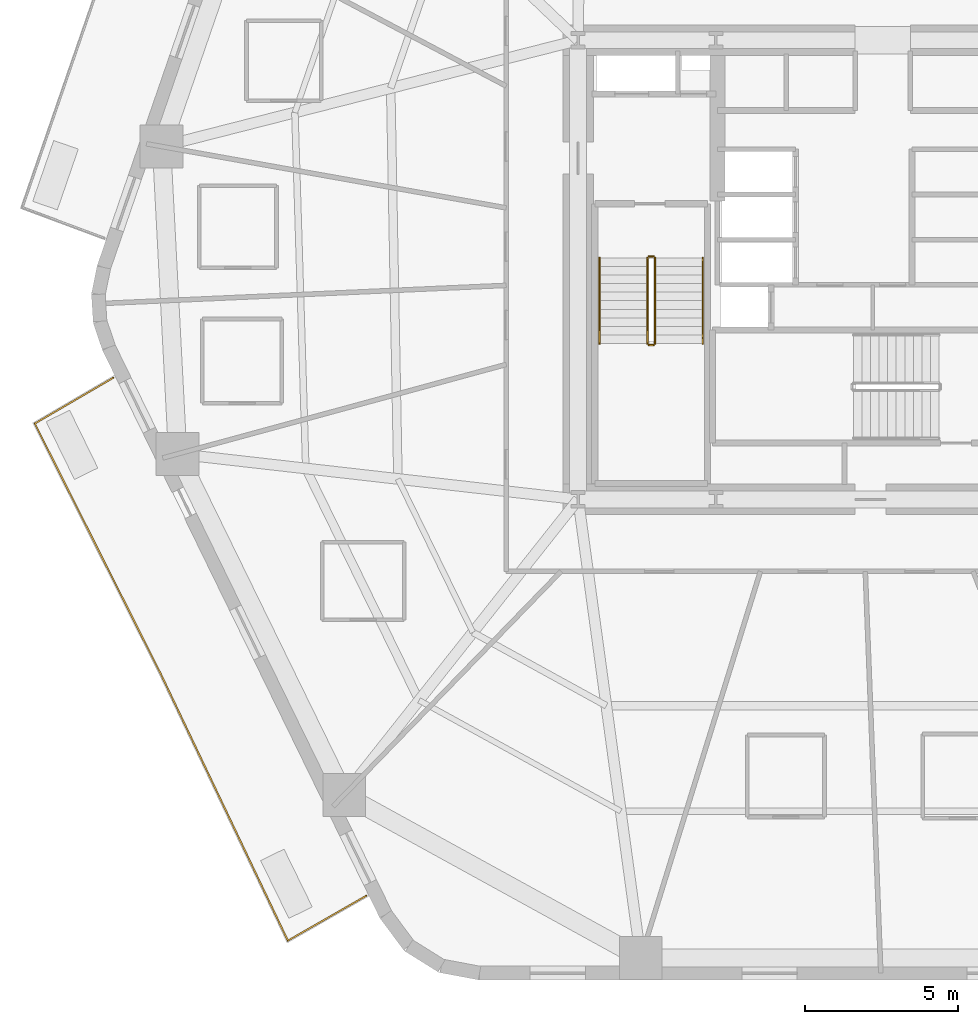
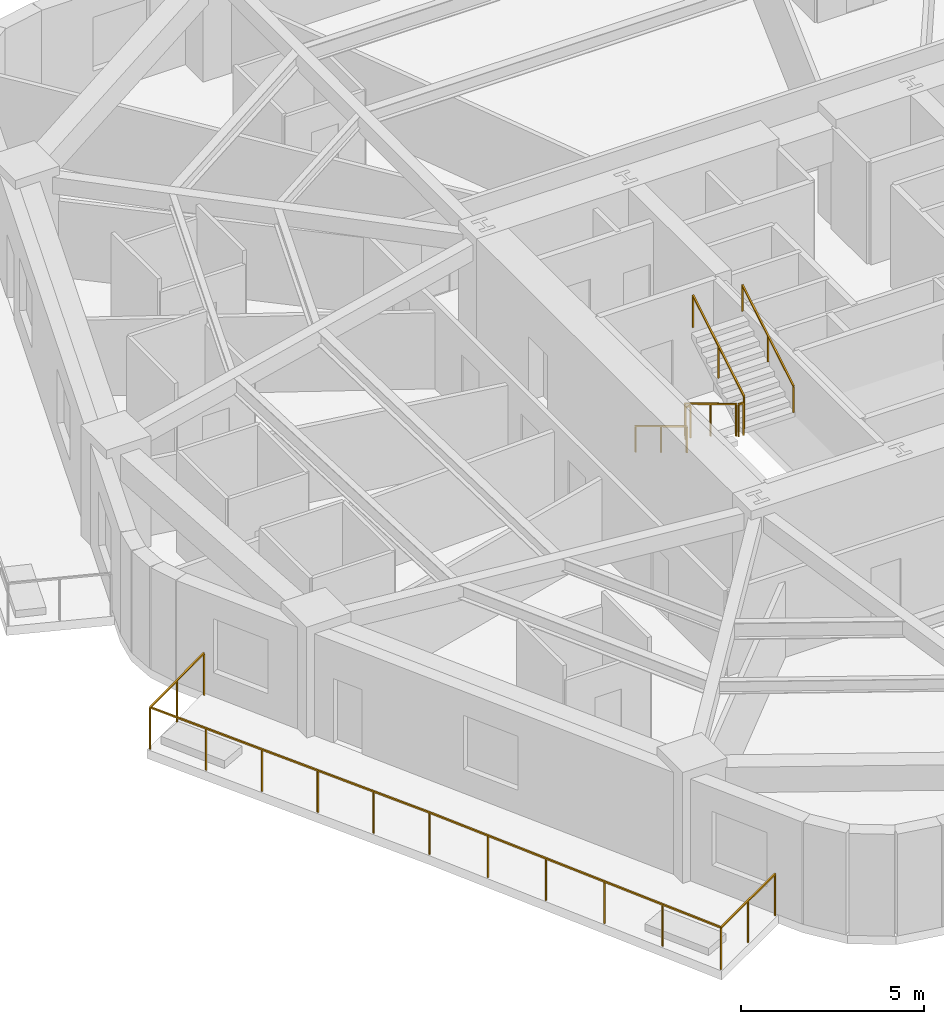
# One storey, part 8 of 10: 7 railings.
"""IFC4 building model written with IfcOpenShell, lengths in metres."""

from ifc_helpers import new_model, si_unit, direction, frame, origin, origin_2d, place, context, subcontext, project, spatial, rectangle, extrude, material, layer, layer_set, type_object, element, save


model = new_model("IFC4")

# Units and contexts
model_context = context("Model", 3, precision=1e-05, world=origin(), true_north=direction((0.0, 1.0)))
body_context = subcontext(model_context, "Body", "Model", "MODEL_VIEW")
ifc_project = project(units=[si_unit("LENGTHUNIT", "METRE"), si_unit("AREAUNIT", "SQUARE_METRE"), si_unit("VOLUMEUNIT", "CUBIC_METRE"), si_unit("PLANEANGLEUNIT", "RADIAN"), si_unit("MASSUNIT", "GRAM", prefix="KILO")], contexts=[model_context])

# Site, building, storey
site_placement = place(None, origin())
site = spatial("IfcSite", under=ifc_project, at=site_placement, CompositionType="ELEMENT")
building_placement = place(site_placement, origin())
building = spatial("IfcBuilding", under=site, at=building_placement, Name="Kilnhurst Terrace Hotel", CompositionType="ELEMENT")
storey_placement = place(building_placement, frame((0.0, 0.0, 52.699951171875)))
storey = spatial("IfcBuildingStorey", under=building, at=storey_placement, Name="L11", CompositionType="ELEMENT", Elevation=52.699951171875)

# Railings
ifc_material_1 = material(Name="Laminated SentryGlas and Stainless Steel AISI 316L Balustrade", Category="steel")
ifc_layer_1 = layer(ifc_material_1, 0.070068359375, Name="Laminated SentryGlas and Stainless Steel AISI 316L Balustrade")
ifc_layer_set_1 = layer_set([ifc_layer_1], Name="Laminated SentryGlas and Stainless Steel AISI 316L Balustrade")
railing_type_1 = type_object("IfcRailingType", Name="RLG-BAL-1420", PredefinedType="BALUSTRADE", material=ifc_layer_set_1)
railing_1_placement = place(storey_placement, frame((-15.923095703125, -20.44873046875, 0.0)))
element("IfcRailing", 1, at=railing_1_placement, inside=storey, type_object=railing_type_1, Name="L11 Exterior Terrace Guardrail BAL-L2B.1", PredefinedType="BALUSTRADE", context=body_context, shape_type="SweptSolid", body=[
    extrude(rectangle(XDim=0.048095703125, YDim=0.048095703125, at=origin_2d()), frame((0.0, 0.0, 1.39599609375), z_axis=(-0.86763656582, -0.497198943736, 0.0), x_axis=(0.497198943736, -0.86763656582, 0.0)), (0.0, 0.0, 1.0), 2.95068359375),
    extrude(rectangle(XDim=0.048095703125, YDim=0.048095703125, at=origin_2d()), frame((-2.56005859375, -1.467041015625, 1.39599609375), z_axis=(-0.430147205624, 0.902758761516, 0.0), x_axis=(-0.902758761516, -0.430147205624, 0.0)), (0.0, 0.0, 1.0), 9.67041015625),
    extrude(rectangle(XDim=0.048095703125, YDim=0.048095703125, at=origin_2d()), frame((-6.7197265625, 7.262939453125, 1.39599609375), z_axis=(-0.514495755428, 0.857492925713, 0.0), x_axis=(-0.857492925713, -0.514495755428, 0.0)), (0.0, 0.0, 1.0), 0.00146484375),
    extrude(rectangle(XDim=0.048095703125, YDim=0.048095703125, at=origin_2d()), frame((-6.720458984375, 7.26416015625, 1.39599609375), z_axis=(-0.449648824937, 0.89320542667, 0.0), x_axis=(-0.89320542667, -0.449648824937, 0.0)), (0.0, 0.0, 1.0), 9.136962890625),
    extrude(rectangle(XDim=0.048095703125, YDim=0.048095703125, at=origin_2d()), frame((-10.828857421875, 15.42529296875, 1.39599609375), z_axis=(0.863737120301, 0.503942642584, 0.0), x_axis=(-0.503942642584, 0.863737120301, 0.0)), (0.0, 0.0, 1.0), 2.96728515625),
    extrude(rectangle(XDim=0.0419921875, YDim=0.0419921875, at=origin_2d()), origin(), (0.0, 0.0, 1.0), 1.371826171875),
    extrude(rectangle(XDim=0.0419921875, YDim=0.0419921875, at=origin_2d()), frame((-1.280029296875, -0.7333984375, 0.0)), (0.0, 0.0, 1.0), 1.371826171875),
    extrude(rectangle(XDim=0.0419921875, YDim=0.0419921875, at=origin_2d()), frame((-2.56005859375, -1.467041015625, 0.0)), (0.0, 0.0, 1.0), 1.371826171875),
    extrude(rectangle(XDim=0.0419921875, YDim=0.0419921875, at=origin_2d()), frame((-3.39208984375, 0.279052734375, 0.0)), (0.0, 0.0, 1.0), 1.371826171875),
    extrude(rectangle(XDim=0.0419921875, YDim=0.0419921875, at=origin_2d()), frame((-4.223876953125, 2.02490234375, 0.0)), (0.0, 0.0, 1.0), 1.371826171875),
    extrude(rectangle(XDim=0.0419921875, YDim=0.0419921875, at=origin_2d()), frame((-5.055908203125, 3.77099609375, 0.0)), (0.0, 0.0, 1.0), 1.371826171875),
    extrude(rectangle(XDim=0.0419921875, YDim=0.0419921875, at=origin_2d()), frame((-5.8876953125, 5.516845703125, 0.0)), (0.0, 0.0, 1.0), 1.371826171875),
    extrude(rectangle(XDim=0.0419921875, YDim=0.0419921875, at=origin_2d()), frame((-6.7197265625, 7.262939453125, 0.0)), (0.0, 0.0, 1.0), 1.371826171875),
    extrude(rectangle(XDim=0.0419921875, YDim=0.0419921875, at=origin_2d()), frame((-6.720458984375, 7.26416015625, 0.0)), (0.0, 0.0, 1.0), 1.371826171875),
    extrude(rectangle(XDim=0.0419921875, YDim=0.0419921875, at=origin_2d()), frame((-7.542236328125, 8.896484375, 0.0)), (0.0, 0.0, 1.0), 1.371826171875),
    extrude(rectangle(XDim=0.0419921875, YDim=0.0419921875, at=origin_2d()), frame((-8.36376953125, 10.528564453125, 0.0)), (0.0, 0.0, 1.0), 1.371826171875),
    extrude(rectangle(XDim=0.0419921875, YDim=0.0419921875, at=origin_2d()), frame((-9.185546875, 12.160888671875, 0.0)), (0.0, 0.0, 1.0), 1.371826171875),
    extrude(rectangle(XDim=0.0419921875, YDim=0.0419921875, at=origin_2d()), frame((-10.007080078125, 13.79296875, 0.0)), (0.0, 0.0, 1.0), 1.371826171875),
    extrude(rectangle(XDim=0.0419921875, YDim=0.0419921875, at=origin_2d()), frame((-10.828857421875, 15.42529296875, 0.0)), (0.0, 0.0, 1.0), 1.371826171875),
    extrude(rectangle(XDim=0.0419921875, YDim=0.0419921875, at=origin_2d()), frame((-9.54736328125, 16.1728515625, 0.0)), (0.0, 0.0, 1.0), 1.371826171875),
    extrude(rectangle(XDim=0.0419921875, YDim=0.0419921875, at=origin_2d()), frame((-8.265869140625, 16.920654296875, 0.0)), (0.0, 0.0, 1.0), 1.371826171875),
])
ifc_material_2 = material(Name="Powder-Coated Steel ASTM A500 Grade B", Category="steel")
ifc_layer_2 = layer(ifc_material_2, 0.050048828125, Name="Powder-Coated Steel ASTM A500 Grade B")
ifc_layer_set_2 = layer_set([ifc_layer_2], Name="Powder-Coated Steel ASTM A500 Grade B")
railing_type_2 = type_object("IfcRailingType", Name="RLG-ST-GRD-1100", PredefinedType="GUARDRAIL", material=ifc_layer_set_2)
railing_2_placement = place(storey_placement, frame((-6.739990234375, 0.389892578125, 0.168212890625)))
element("IfcRailing", 2, at=railing_2_placement, inside=storey, type_object=railing_type_2, Name="L11 ST-1 stair guard 1", PredefinedType="GUARDRAIL", context=body_context, shape_type="SweptSolid", body=[
    extrude(rectangle(XDim=0.048095703125, YDim=0.048095703125, at=origin_2d()), frame((0.0, 0.0, 1.076171875), z_axis=(0.0, -0.857222391501, 0.514946377315), x_axis=(1.0, 0.0, 0.0)), (0.0, 0.0, 1.0), 3.26611328125),
    extrude(rectangle(XDim=0.0419921875, YDim=0.0419921875, at=origin_2d()), origin(), (0.0, 0.0, 1.0), 1.052001953125),
    extrude(rectangle(XDim=0.0419921875, YDim=0.0419921875, at=origin_2d()), frame((0.0, -1.39990234375, 0.8408203125)), (0.0, 0.0, 1.0), 1.052001953125),
    extrude(rectangle(XDim=0.0419921875, YDim=0.0419921875, at=origin_2d()), frame((0.0, -2.7998046875, 1.681884765625)), (0.0, 0.0, 1.0), 1.052001953125),
])
railing_3_placement = place(storey_placement, frame((-6.68994140625, -2.4599609375, 1.85009765625)))
element("IfcRailing", 3, at=railing_3_placement, inside=storey, type_object=railing_type_2, Name="L11 ST-1 stair guard 2", PredefinedType="GUARDRAIL", context=body_context, shape_type="SweptSolid", body=[
    extrude(rectangle(XDim=0.048095703125, YDim=0.048095703125, at=origin_2d()), frame((0.0, 0.0, 1.076171875), z_axis=(1.0, 0.0, 0.0), x_axis=(0.0, 1.0, 0.0)), (0.0, 0.0, 1.0), 0.14990234375),
    extrude(rectangle(XDim=0.0419921875, YDim=0.0419921875, at=origin_2d()), origin(), (0.0, 0.0, 1.0), 1.052001953125),
    extrude(rectangle(XDim=0.0419921875, YDim=0.0419921875, at=origin_2d()), frame((0.14990234375, 0.0, 0.0)), (0.0, 0.0, 1.0), 1.052001953125),
])
railing_4_placement = place(storey_placement, frame((-6.489990234375, -2.409912109375, 2.018310546875)))
element("IfcRailing", 4, at=railing_4_placement, inside=storey, type_object=railing_type_2, Name="L11 ST-1 stair guard 3", PredefinedType="GUARDRAIL", context=body_context, shape_type="SweptSolid", body=[
    extrude(rectangle(XDim=0.048095703125, YDim=0.048095703125, at=origin_2d()), frame((0.0, 0.0, 1.076171875), z_axis=(0.0, 0.857255387014, 0.514891446264), x_axis=(-1.0, 0.0, 0.0)), (0.0, 0.0, 1.0), 3.26611328125),
    extrude(rectangle(XDim=0.0419921875, YDim=0.0419921875, at=origin_2d()), origin(), (0.0, 0.0, 1.0), 1.052001953125),
    extrude(rectangle(XDim=0.0419921875, YDim=0.0419921875, at=origin_2d()), frame((0.0, 1.39990234375, 0.8408203125)), (0.0, 0.0, 1.0), 1.052001953125),
    extrude(rectangle(XDim=0.0419921875, YDim=0.0419921875, at=origin_2d()), frame((0.0, 2.7998046875, 1.681640625)), (0.0, 0.0, 1.0), 1.052001953125),
])
railing_5_placement = place(storey_placement, frame((-6.68994140625, 0.43994140625, 0.0)))
element("IfcRailing", 5, at=railing_5_placement, inside=storey, type_object=railing_type_2, Name="L11 ST-1 stair guard 4", PredefinedType="GUARDRAIL", context=body_context, shape_type="SweptSolid", body=[
    extrude(rectangle(XDim=0.048095703125, YDim=0.048095703125, at=origin_2d()), frame((0.0, 0.0, 1.076171875), z_axis=(1.0, 0.0, 0.0), x_axis=(0.0, 1.0, 0.0)), (0.0, 0.0, 1.0), 0.14990234375),
    extrude(rectangle(XDim=0.0419921875, YDim=0.0419921875, at=origin_2d()), origin(), (0.0, 0.0, 1.0), 1.052001953125),
    extrude(rectangle(XDim=0.0419921875, YDim=0.0419921875, at=origin_2d()), frame((0.14990234375, 0.0, 0.0)), (0.0, 0.0, 1.0), 1.052001953125),
])
ifc_material_3 = material(Name="Brushed Stainless Steel AISI 304", Category="steel")
ifc_layer_3 = layer(ifc_material_3, 0.048095703125, Name="Brushed Stainless Steel AISI 304")
ifc_layer_set_3 = layer_set([ifc_layer_3], Name="Brushed Stainless Steel AISI 304")
railing_type_3 = type_object("IfcRailingType", Name="RLG-ST-HRL-900", PredefinedType="HANDRAIL", material=ifc_layer_set_3)
railing_6_placement = place(storey_placement, frame((-8.300048828125, 0.389892578125, 0.168212890625)))
element("IfcRailing", 6, at=railing_6_placement, inside=storey, type_object=railing_type_3, Name="L11 ST-1 stair handrail 1", PredefinedType="HANDRAIL", context=body_context, shape_type="SweptSolid", body=[
    extrude(rectangle(XDim=0.048095703125, YDim=0.048095703125, at=origin_2d()), frame((0.0, 0.0, 0.8759765625), z_axis=(0.0, -0.857222391501, 0.514946377315), x_axis=(1.0, 0.0, 0.0)), (0.0, 0.0, 1.0), 3.26611328125),
    extrude(rectangle(XDim=0.0419921875, YDim=0.0419921875, at=origin_2d()), origin(), (0.0, 0.0, 1.0), 0.851806640625),
    extrude(rectangle(XDim=0.0419921875, YDim=0.0419921875, at=origin_2d()), frame((0.0, -1.39990234375, 0.8408203125)), (0.0, 0.0, 1.0), 0.851806640625),
    extrude(rectangle(XDim=0.0419921875, YDim=0.0419921875, at=origin_2d()), frame((0.0, -2.7998046875, 1.681884765625)), (0.0, 0.0, 1.0), 0.851806640625),
])
railing_7_placement = place(storey_placement, frame((-4.929931640625, -2.409912109375, 2.018310546875)))
element("IfcRailing", 7, at=railing_7_placement, inside=storey, type_object=railing_type_3, Name="L11 ST-1 stair handrail 2", PredefinedType="HANDRAIL", context=body_context, shape_type="SweptSolid", body=[
    extrude(rectangle(XDim=0.048095703125, YDim=0.048095703125, at=origin_2d()), frame((0.0, 0.0, 0.8759765625), z_axis=(0.0, 0.857255387014, 0.514891446264), x_axis=(-1.0, 0.0, 0.0)), (0.0, 0.0, 1.0), 3.26611328125),
    extrude(rectangle(XDim=0.0419921875, YDim=0.0419921875, at=origin_2d()), origin(), (0.0, 0.0, 1.0), 0.851806640625),
    extrude(rectangle(XDim=0.0419921875, YDim=0.0419921875, at=origin_2d()), frame((0.0, 1.39990234375, 0.8408203125)), (0.0, 0.0, 1.0), 0.851806640625),
    extrude(rectangle(XDim=0.0419921875, YDim=0.0419921875, at=origin_2d()), frame((0.0, 2.7998046875, 1.681640625)), (0.0, 0.0, 1.0), 0.851806640625),
])

save(model, "model.ifc")
